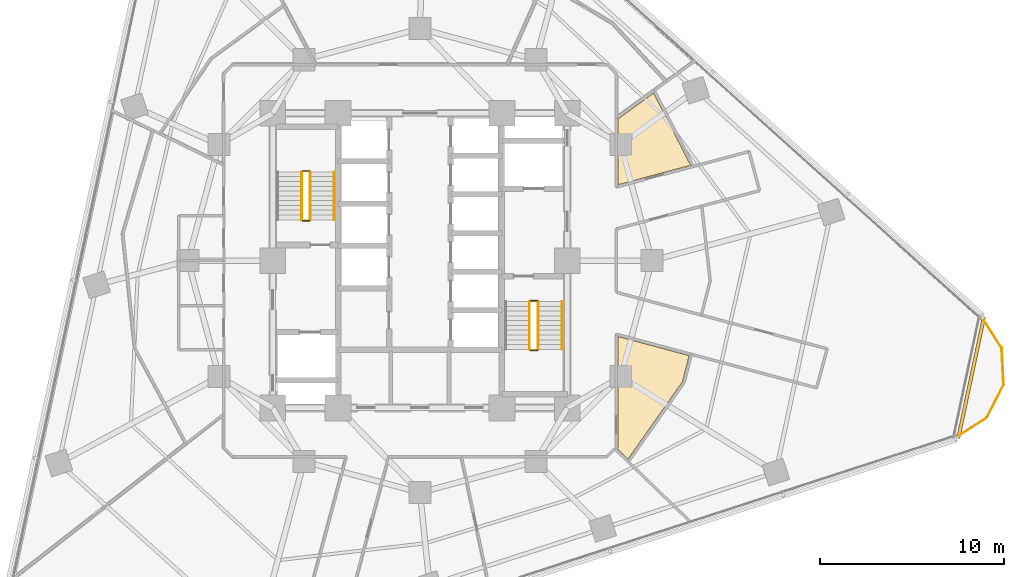
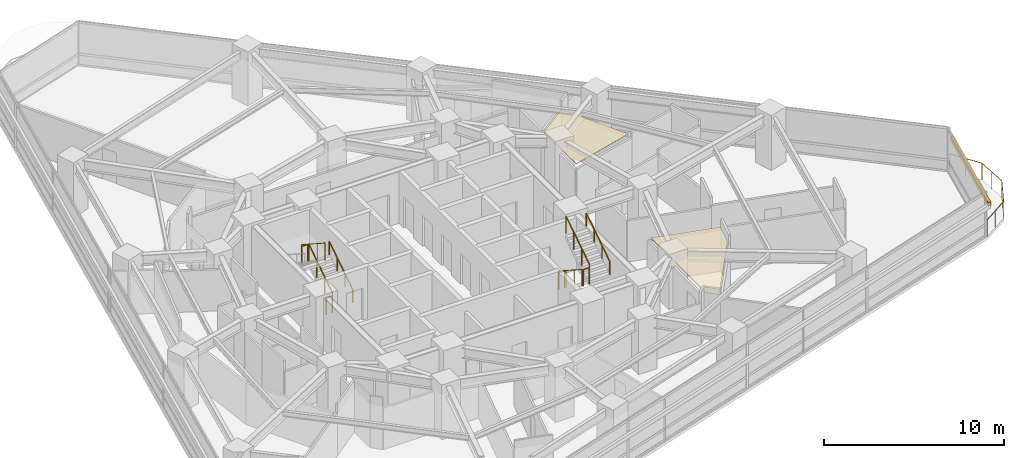
# One storey, part 12 of 13: 11 railings, 2 coverings, 1 shading device.
"""IFC4 building model written with IfcOpenShell, lengths in metres."""

from ifc_helpers import new_model, si_unit, direction, frame, origin, origin_2d, place, context, subcontext, project, spatial, polyline, rectangle, circle, outline, extrude, material, layer, layer_set, type_object, element, save


model = new_model("IFC4")

# Units and contexts
model_context = context("Model", 3, precision=1e-05, world=origin(), true_north=direction((0.0, 1.0)))
body_context = subcontext(model_context, "Body", "Model", "MODEL_VIEW")
ifc_project = project(units=[si_unit("LENGTHUNIT", "METRE"), si_unit("AREAUNIT", "SQUARE_METRE"), si_unit("VOLUMEUNIT", "CUBIC_METRE"), si_unit("PLANEANGLEUNIT", "RADIAN"), si_unit("MASSUNIT", "GRAM", prefix="KILO")], contexts=[model_context])

# Site, building, storey
site_placement = place(None, origin())
site = spatial("IfcSite", under=ifc_project, at=site_placement, CompositionType="ELEMENT")
building_placement = place(site_placement, origin())
building = spatial("IfcBuilding", under=site, at=building_placement, Name="Terralouvre Media Tower", CompositionType="ELEMENT")
storey_placement = place(building_placement, frame((0.0, 0.0, 108.800048828125)))
storey = spatial("IfcBuildingStorey", under=building, at=storey_placement, Name="L27", CompositionType="ELEMENT", Elevation=108.800048828125)

# Coverings
ifc_material_1 = material(Name="Perforated aluminium acoustic ceiling baffle", Category="aluminium")
ifc_layer_1 = layer(ifc_material_1, 0.0400390625, Name="Perforated Acoustic Metal Tile Ceiling CL-AC1")
ifc_layer_set_1 = layer_set([ifc_layer_1], Name="Perforated aluminium acoustic ceiling baffle")
covering_type = type_object("IfcCoveringType", Name="Perforated Acoustic Metal Tile Ceiling CL-AC1", PredefinedType="CEILING", material=ifc_layer_set_1)
covering_1_placement = place(storey_placement, frame((0.0, 0.0, 2.97998046875), z_axis=(0.0, 0.0, 1.0), x_axis=(0.951056516295, 0.309016994375, 0.0)))
element("IfcCovering", 1, at=covering_1_placement, inside=storey, type_object=covering_type, Name="L27 Club Reading Library 3 Acoustic Ceiling", PredefinedType="CEILING", context=body_context, shape_type="SweptSolid", body=[
    extrude(outline(polyline([(7.418212890625, -13.738525390625), (11.52783203125, -10.65625), (12.308837890625, -9.423828125), (8.949951171875, -7.242431640625), (7.08740234375, -12.97509765625), (7.083740234375, -12.984375), (7.07958984375, -12.9931640625), (7.07421875, -13.00146484375), (7.068359375, -13.00927734375), (7.0615234375, -13.016357421875), (7.05419921875, -13.022705078125), (7.046142578125, -13.0283203125), (7.04248046875, -13.030517578125), (7.418212890625, -13.738525390625)])), origin(), (0.0, 0.0, 1.0), 0.0400390625),
])
covering_2_placement = place(storey_placement, frame((0.0, 0.0, 2.97998046875), z_axis=(0.0, 0.0, 1.0), x_axis=(0.951056516295, 0.309016994375, 0.0)))
element("IfcCovering", 2, at=covering_2_placement, inside=storey, type_object=covering_type, Name="L27 Wellness Club Reception 5 Acoustic Ceiling", PredefinedType="CEILING", context=body_context, shape_type="SweptSolid", body=[
    extrude(outline(polyline([(12.599365234375, 3.98876953125), (11.497802734375, 0.5986328125), (15.578125, 0.385498046875), (14.880126953125, 4.729736328125), (12.599365234375, 3.98876953125)])), origin(), (0.0, 0.0, 1.0), 0.0400390625),
])

# Railings
ifc_material_2 = material(Name="Stainless steel 316 handrail and balustrade", Category="steel")
ifc_layer_2 = layer(ifc_material_2, 0.06005859375, Name="Roof Edge Safety Guardrail GR-ROOF1")
ifc_layer_set_2 = layer_set([ifc_layer_2], Name="Stainless steel 316 handrail and balustrade")
railing_type_1 = type_object("IfcRailingType", Name="Roof Edge Safety Guardrail GR-ROOF1", PredefinedType="GUARDRAIL", material=ifc_layer_set_2)
railing_1_placement = place(storey_placement, frame((29.105224609375, -9.6201171875, 0.0)))
element("IfcRailing", 3, at=railing_1_placement, inside=storey, type_object=railing_type_1, Name="L27 Wind-Corner Perimeter Safety Guardrail C1", PredefinedType="GUARDRAIL", context=body_context, shape_type="SweptSolid", body=[
    extrude(circle(Radius=0.02099609375, at=origin_2d()), frame((0.0, 0.0, 1.12890625), z_axis=(0.838760176544, 0.544501025016, 0.0), x_axis=(-0.544501025016, 0.838760176544, 0.0)), (0.0, 0.0, 1.0), 2.0078125),
    extrude(circle(Radius=0.02099609375, at=origin_2d()), frame((1.68408203125, 1.09326171875, 1.12890625), z_axis=(0.454107952828, 0.890946669099, 0.0), x_axis=(-0.890946669099, 0.454107952828, 0.0)), (0.0, 0.0, 1.0), 2.007568359375),
    extrude(circle(Radius=0.02099609375, at=origin_2d()), frame((2.595703125, 2.8818359375, 1.12890625), z_axis=(-0.052412032372, 0.998625544868, 0.0), x_axis=(-0.998625544868, -0.052412032372, 0.0)), (0.0, 0.0, 1.0), 2.007568359375),
    extrude(circle(Radius=0.02099609375, at=origin_2d()), frame((2.490478515625, 4.88671875, 1.12890625), z_axis=(-0.544868673015, 0.838521394579, 0.0), x_axis=(-0.838521394579, -0.544868673015, 0.0)), (0.0, 0.0, 1.0), 2.0078125),
    extrude(circle(Radius=0.01904296875, at=origin_2d()), origin(), (0.0, 0.0, 1.0), 1.10791015625),
    extrude(circle(Radius=0.01904296875, at=origin_2d()), frame((0.842041015625, 0.546630859375, 0.0)), (0.0, 0.0, 1.0), 1.10791015625),
    extrude(circle(Radius=0.01904296875, at=origin_2d()), frame((1.68408203125, 1.09326171875, 0.0)), (0.0, 0.0, 1.0), 1.10791015625),
    extrude(circle(Radius=0.01904296875, at=origin_2d()), frame((2.139892578125, 1.987548828125, 0.0)), (0.0, 0.0, 1.0), 1.10791015625),
    extrude(circle(Radius=0.01904296875, at=origin_2d()), frame((2.595703125, 2.8818359375, 0.0)), (0.0, 0.0, 1.0), 1.10791015625),
    extrude(circle(Radius=0.01904296875, at=origin_2d()), frame((2.54296875, 3.88427734375, 0.0)), (0.0, 0.0, 1.0), 1.10791015625),
    extrude(circle(Radius=0.01904296875, at=origin_2d()), frame((2.490478515625, 4.88671875, 0.0)), (0.0, 0.0, 1.0), 1.10791015625),
    extrude(circle(Radius=0.01904296875, at=origin_2d()), frame((1.943359375, 5.728515625, 0.0)), (0.0, 0.0, 1.0), 1.10791015625),
    extrude(circle(Radius=0.01904296875, at=origin_2d()), frame((1.396484375, 6.5703125, 0.0)), (0.0, 0.0, 1.0), 1.10791015625),
])
ifc_material_3 = material(Name="Stainless steel 316 handrail and balustrade", Category="steel")
ifc_layer_3 = layer(ifc_material_3, 0.050048828125, Name="Stair Flight Wall Handrail HR-INT1")
ifc_layer_set_3 = layer_set([ifc_layer_3], Name="Stainless steel 316 handrail and balustrade")
railing_type_2 = type_object("IfcRailingType", Name="Stair Flight Wall Handrail HR-INT1", PredefinedType="HANDRAIL", material=ifc_layer_set_3)
railing_2_placement = place(storey_placement, frame((-4.64990234375, 2.219970703125, 0.168212890625)))
element("IfcRailing", 4, at=railing_2_placement, inside=storey, type_object=railing_type_2, Name="L27 ST-01 stair handrail 1", PredefinedType="HANDRAIL", context=body_context, shape_type="SweptSolid", body=[
    extrude(circle(Radius=0.02392578125, at=origin_2d()), frame((0.0, 0.0, 0.8759765625), z_axis=(0.0, 0.839684365666, 0.543074733399), x_axis=(-1.0, 0.0, 0.0)), (0.0, 0.0, 1.0), 3.096435546875),
    extrude(circle(Radius=0.02099609375, at=origin_2d()), origin(), (0.0, 0.0, 1.0), 0.851806640625),
    extrude(circle(Radius=0.02099609375, at=origin_2d()), frame((0.0, 0.86669921875, 0.560546875)), (0.0, 0.0, 1.0), 0.851806640625),
    extrude(circle(Radius=0.02099609375, at=origin_2d()), frame((0.0, 1.7333984375, 1.12109375)), (0.0, 0.0, 1.0), 0.851806640625),
    extrude(circle(Radius=0.02099609375, at=origin_2d()), frame((0.0, 2.60009765625, 1.681640625)), (0.0, 0.0, 1.0), 0.851806640625),
])
railing_3_placement = place(storey_placement, frame((7.72998046875, -4.820068359375, 2.01806640625)))
element("IfcRailing", 5, at=railing_3_placement, inside=storey, type_object=railing_type_2, Name="L27 ST-02 stair handrail 2", PredefinedType="HANDRAIL", context=body_context, shape_type="SweptSolid", body=[
    extrude(circle(Radius=0.02392578125, at=origin_2d()), frame((0.0, 0.0, 0.8759765625), z_axis=(0.0, 0.839648411786, 0.543130320075), x_axis=(-1.0, 0.0, 0.0)), (0.0, 0.0, 1.0), 3.0966796875),
    extrude(circle(Radius=0.02099609375, at=origin_2d()), origin(), (0.0, 0.0, 1.0), 0.851806640625),
    extrude(circle(Radius=0.02099609375, at=origin_2d()), frame((0.0, 0.86669921875, 0.560546875)), (0.0, 0.0, 1.0), 0.851806640625),
    extrude(circle(Radius=0.02099609375, at=origin_2d()), frame((0.0, 1.7333984375, 1.121337890625)), (0.0, 0.0, 1.0), 0.851806640625),
    extrude(circle(Radius=0.02099609375, at=origin_2d()), frame((0.0, 2.60009765625, 1.681884765625)), (0.0, 0.0, 1.0), 0.851806640625),
])
ifc_material_4 = material(Name="Stainless steel 316 handrail and balustrade", Category="steel")
ifc_layer_4 = layer(ifc_material_4, 0.050048828125, Name="Stairwell Safety Guardrail GR-INT1")
ifc_layer_set_4 = layer_set([ifc_layer_4], Name="Stainless steel 316 handrail and balustrade")
railing_type_3 = type_object("IfcRailingType", Name="Stairwell Safety Guardrail GR-INT1", PredefinedType="GUARDRAIL", material=ifc_layer_set_4)
railing_4_placement = place(storey_placement, frame((-5.949951171875, 2.219970703125, 0.168212890625)))
element("IfcRailing", 6, at=railing_4_placement, inside=storey, type_object=railing_type_3, Name="L27 ST-01 stair guard 1", PredefinedType="GUARDRAIL", context=body_context, shape_type="SweptSolid", body=[
    extrude(circle(Radius=0.02392578125, at=origin_2d()), frame((0.0, 0.0, 1.1259765625), z_axis=(0.0, 0.839684365666, 0.543074733399), x_axis=(-1.0, 0.0, 0.0)), (0.0, 0.0, 1.0), 3.096435546875),
    extrude(circle(Radius=0.02099609375, at=origin_2d()), origin(), (0.0, 0.0, 1.0), 1.101806640625),
    extrude(circle(Radius=0.02099609375, at=origin_2d()), frame((0.0, 0.86669921875, 0.560546875)), (0.0, 0.0, 1.0), 1.101806640625),
    extrude(circle(Radius=0.02099609375, at=origin_2d()), frame((0.0, 1.7333984375, 1.12109375)), (0.0, 0.0, 1.0), 1.101806640625),
    extrude(circle(Radius=0.02099609375, at=origin_2d()), frame((0.0, 2.60009765625, 1.681640625)), (0.0, 0.0, 1.0), 1.101806640625),
])
railing_5_placement = place(storey_placement, frame((-6.0, 4.8701171875, 1.849853515625)))
element("IfcRailing", 7, at=railing_5_placement, inside=storey, type_object=railing_type_3, Name="L27 ST-01 stair guard 2", PredefinedType="GUARDRAIL", context=body_context, shape_type="SweptSolid", body=[
    extrude(circle(Radius=0.02392578125, at=origin_2d()), frame((0.0, 0.0, 1.1259765625), z_axis=(-1.0, 0.0, 0.0), x_axis=(0.0, -1.0, 0.0)), (0.0, 0.0, 1.0), 0.3798828125),
    extrude(circle(Radius=0.02099609375, at=origin_2d()), origin(), (0.0, 0.0, 1.0), 1.101806640625),
    extrude(circle(Radius=0.02099609375, at=origin_2d()), frame((-0.3798828125, 0.0, 0.0)), (0.0, 0.0, 1.0), 1.101806640625),
])
railing_6_placement = place(storey_placement, frame((-6.429931640625, 4.820068359375, 2.01806640625)))
element("IfcRailing", 8, at=railing_6_placement, inside=storey, type_object=railing_type_3, Name="L27 ST-01 stair guard 3", PredefinedType="GUARDRAIL", context=body_context, shape_type="SweptSolid", body=[
    extrude(circle(Radius=0.02392578125, at=origin_2d()), frame((0.0, 0.0, 1.1259765625), z_axis=(0.0, -0.839648411786, 0.543130320075), x_axis=(1.0, 0.0, 0.0)), (0.0, 0.0, 1.0), 3.0966796875),
    extrude(circle(Radius=0.02099609375, at=origin_2d()), origin(), (0.0, 0.0, 1.0), 1.101806640625),
    extrude(circle(Radius=0.02099609375, at=origin_2d()), frame((0.0, -0.86669921875, 0.560546875)), (0.0, 0.0, 1.0), 1.101806640625),
    extrude(circle(Radius=0.02099609375, at=origin_2d()), frame((0.0, -1.7333984375, 1.121337890625)), (0.0, 0.0, 1.0), 1.101806640625),
    extrude(circle(Radius=0.02099609375, at=origin_2d()), frame((0.0, -2.60009765625, 1.681884765625)), (0.0, 0.0, 1.0), 1.101806640625),
])
railing_7_placement = place(storey_placement, frame((-6.0, 2.169921875, 0.0)))
element("IfcRailing", 9, at=railing_7_placement, inside=storey, type_object=railing_type_3, Name="L27 ST-01 stair guard 4", PredefinedType="GUARDRAIL", context=body_context, shape_type="SweptSolid", body=[
    extrude(circle(Radius=0.02392578125, at=origin_2d()), frame((0.0, 0.0, 1.1259765625), z_axis=(-1.0, 0.0, 0.0), x_axis=(0.0, -1.0, 0.0)), (0.0, 0.0, 1.0), 0.3798828125),
    extrude(circle(Radius=0.02099609375, at=origin_2d()), origin(), (0.0, 0.0, 1.0), 1.101806640625),
    extrude(circle(Radius=0.02099609375, at=origin_2d()), frame((-0.3798828125, 0.0, 0.0)), (0.0, 0.0, 1.0), 1.101806640625),
])
railing_8_placement = place(storey_placement, frame((5.949951171875, -2.219970703125, 0.168212890625)))
element("IfcRailing", 10, at=railing_8_placement, inside=storey, type_object=railing_type_3, Name="L27 ST-02 stair guard 1", PredefinedType="GUARDRAIL", context=body_context, shape_type="SweptSolid", body=[
    extrude(circle(Radius=0.02392578125, at=origin_2d()), frame((0.0, 0.0, 1.1259765625), z_axis=(0.0, -0.839684365666, 0.543074733399), x_axis=(1.0, 0.0, 0.0)), (0.0, 0.0, 1.0), 3.096435546875),
    extrude(circle(Radius=0.02099609375, at=origin_2d()), origin(), (0.0, 0.0, 1.0), 1.101806640625),
    extrude(circle(Radius=0.02099609375, at=origin_2d()), frame((0.0, -0.86669921875, 0.560546875)), (0.0, 0.0, 1.0), 1.101806640625),
    extrude(circle(Radius=0.02099609375, at=origin_2d()), frame((0.0, -1.7333984375, 1.12109375)), (0.0, 0.0, 1.0), 1.101806640625),
    extrude(circle(Radius=0.02099609375, at=origin_2d()), frame((0.0, -2.60009765625, 1.681640625)), (0.0, 0.0, 1.0), 1.101806640625),
])
railing_9_placement = place(storey_placement, frame((6.0, -4.8701171875, 1.849853515625)))
element("IfcRailing", 11, at=railing_9_placement, inside=storey, type_object=railing_type_3, Name="L27 ST-02 stair guard 2", PredefinedType="GUARDRAIL", context=body_context, shape_type="SweptSolid", body=[
    extrude(circle(Radius=0.02392578125, at=origin_2d()), frame((0.0, 0.0, 1.1259765625), z_axis=(1.0, 0.0, 0.0), x_axis=(0.0, 1.0, 0.0)), (0.0, 0.0, 1.0), 0.3798828125),
    extrude(circle(Radius=0.02099609375, at=origin_2d()), origin(), (0.0, 0.0, 1.0), 1.101806640625),
    extrude(circle(Radius=0.02099609375, at=origin_2d()), frame((0.3798828125, 0.0, 0.0)), (0.0, 0.0, 1.0), 1.101806640625),
])
railing_10_placement = place(storey_placement, frame((6.429931640625, -4.820068359375, 2.01806640625)))
element("IfcRailing", 12, at=railing_10_placement, inside=storey, type_object=railing_type_3, Name="L27 ST-02 stair guard 3", PredefinedType="GUARDRAIL", context=body_context, shape_type="SweptSolid", body=[
    extrude(circle(Radius=0.02392578125, at=origin_2d()), frame((0.0, 0.0, 1.1259765625), z_axis=(0.0, 0.839648411786, 0.543130320075), x_axis=(-1.0, 0.0, 0.0)), (0.0, 0.0, 1.0), 3.0966796875),
    extrude(circle(Radius=0.02099609375, at=origin_2d()), origin(), (0.0, 0.0, 1.0), 1.101806640625),
    extrude(circle(Radius=0.02099609375, at=origin_2d()), frame((0.0, 0.86669921875, 0.560546875)), (0.0, 0.0, 1.0), 1.101806640625),
    extrude(circle(Radius=0.02099609375, at=origin_2d()), frame((0.0, 1.7333984375, 1.121337890625)), (0.0, 0.0, 1.0), 1.101806640625),
    extrude(circle(Radius=0.02099609375, at=origin_2d()), frame((0.0, 2.60009765625, 1.681884765625)), (0.0, 0.0, 1.0), 1.101806640625),
])
railing_11_placement = place(storey_placement, frame((6.0, -2.169921875, 0.0)))
element("IfcRailing", 13, at=railing_11_placement, inside=storey, type_object=railing_type_3, Name="L27 ST-02 stair guard 4", PredefinedType="GUARDRAIL", context=body_context, shape_type="SweptSolid", body=[
    extrude(circle(Radius=0.02392578125, at=origin_2d()), frame((0.0, 0.0, 1.1259765625), z_axis=(1.0, 0.0, 0.0), x_axis=(0.0, 1.0, 0.0)), (0.0, 0.0, 1.0), 0.3798828125),
    extrude(circle(Radius=0.02099609375, at=origin_2d()), origin(), (0.0, 0.0, 1.0), 1.101806640625),
    extrude(circle(Radius=0.02099609375, at=origin_2d()), frame((0.3798828125, 0.0, 0.0)), (0.0, 0.0, 1.0), 1.101806640625),
])

# Shading device
ifc_material_5 = material(Name="Extruded terracotta baguette sunshade louvres", Category="masonry")
shading_device_type = type_object("IfcShadingDeviceType", Name="Terracotta Baguette Sunshade Louvre Screen TB-LV1", PredefinedType="USERDEFINED", material=ifc_material_5)
shading_device_placement = place(storey_placement, frame((29.935302734375, -6.363037109375, 2.02392578125), z_axis=(0.0, 0.0, 1.0), x_axis=(0.207911611348, 0.978147617626, 0.0)))
element("IfcShadingDevice", 14, at=shading_device_placement, inside=storey, type_object=shading_device_type, Name="CW-L27-C1 Terracotta Baguette Sunshade Louvre", ObjectType="BAGUETTE", PredefinedType="USERDEFINED", context=body_context, shape_type="SweptSolid", body=[
    extrude(rectangle(XDim=6.720458984375, YDim=0.179931640625, at=origin_2d()), origin(), (0.0, 0.0, 1.0), 0.280029296875),
])

save(model, "model.ifc")
